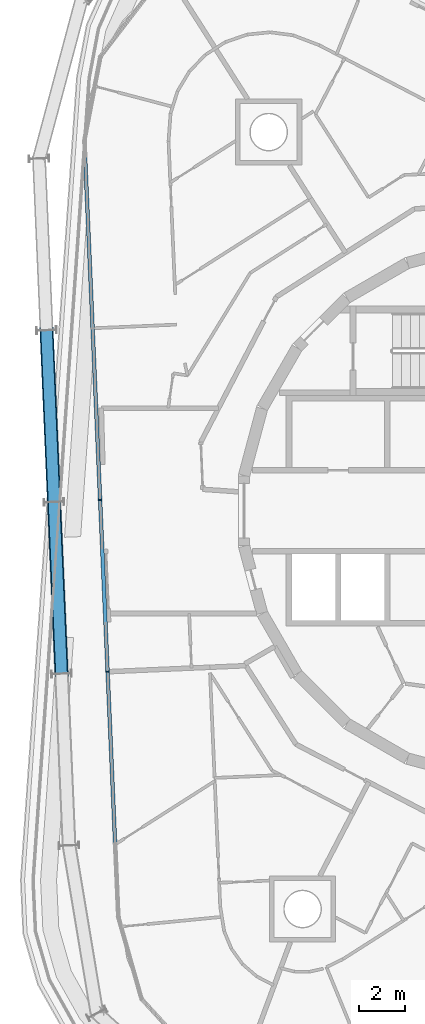
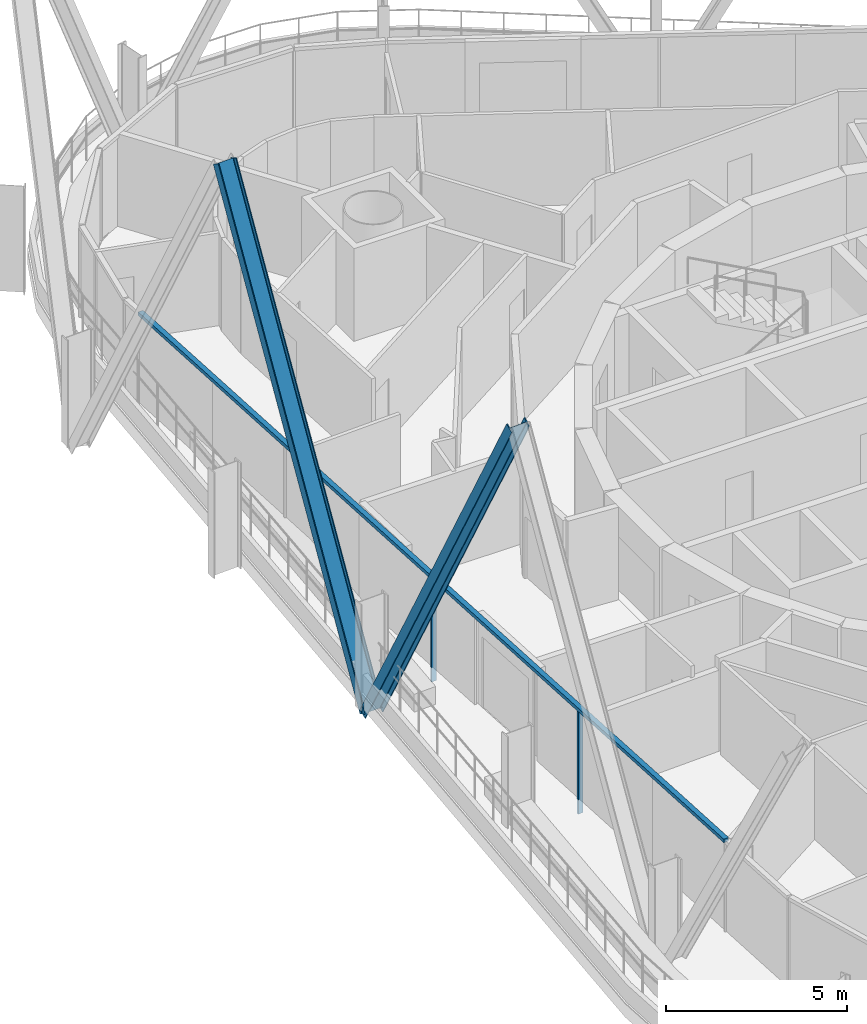
# One storey, part 4 of 20: 5 members, 1 element without a shape of its own.
"""IFC4 building model written with IfcOpenShell, lengths in metres."""

from ifc_helpers import new_model, si_unit, direction, frame, origin, origin_2d, place, context, subcontext, project, spatial, rectangle, i_section, extrude, material, layer, layer_set, material_profile, profile_set, type_object, element, aggregate, save


model = new_model("IFC4")

# Units and contexts
model_context = context("Model", 3, precision=1e-05, world=origin(), true_north=direction((0.0, 1.0)))
body_context = subcontext(model_context, "Body", "Model", "MODEL_VIEW")
ifc_project = project(units=[si_unit("LENGTHUNIT", "METRE"), si_unit("AREAUNIT", "SQUARE_METRE"), si_unit("VOLUMEUNIT", "CUBIC_METRE"), si_unit("PLANEANGLEUNIT", "RADIAN"), si_unit("MASSUNIT", "GRAM", prefix="KILO")], contexts=[model_context])

# Site, building, storey
site_placement = place(None, origin())
site = spatial("IfcSite", under=ifc_project, at=site_placement, CompositionType="ELEMENT")
building_placement = place(site_placement, origin())
building = spatial("IfcBuilding", under=site, at=building_placement, Name="Spindle Arch Residences", CompositionType="ELEMENT")
storey_placement = place(building_placement, frame((0.0, 0.0, 226.699951171875)))
storey = spatial("IfcBuildingStorey", under=building, at=storey_placement, Name="L57", CompositionType="ELEMENT", Elevation=226.699951171875)

# Curtain wall, members
ifc_material_1 = material(Name="Aluminium bronze unitised frame with tinted glass", Category="aluminium")
ifc_layer = layer(ifc_material_1, 0.159912109375)
ifc_layer_set = layer_set([ifc_layer], Name="CW-C typical residential unitised wall")
curtain_wall_type = type_object("IfcCurtainWallType", Name="CW-C typical residential unitised wall", PredefinedType="NOTDEFINED", material=ifc_layer_set)
curtain_wall_placement = place(storey_placement, origin())
curtain_wall = element("IfcCurtainWall", 1, at=curtain_wall_placement, inside=storey, type_object=curtain_wall_type, Name="CW-C L57 run 4", PredefinedType="NOTDEFINED")
ifc_material_2 = material(Name="Aluminium bronze anodised mullion", Category="aluminium")
ifc_material_profile_1 = material_profile(ifc_material_2, rectangle(XDim=0.159912109375, YDim=0.06005859375, at=origin_2d()), Name="MU 60x160")
ifc_profile_set_1 = profile_set([ifc_material_profile_1], Name="Aluminium bronze anodised mullion")
member_type_1 = type_object("IfcMemberType", Name="Bronze mullion 60x160", PredefinedType="MULLION", material=ifc_profile_set_1)
member_1_placement = place(storey_placement, frame((-17.9521484375, 0.472412109375, -0.449951171875), z_axis=(0.0, 0.0, 1.0), x_axis=(0.999048221582, 0.043619387365, 0.0)))
member_1 = element("IfcMember", 2, at=member_1_placement, type_object=member_type_1, Name="CW-C mullion 14", PredefinedType="MULLION", context=body_context, shape_type="SweptSolid", body=[
    extrude(rectangle(XDim=0.159912109375, YDim=0.06005859375, at=origin_2d()), origin(), (0.0, 0.0, 1.0), 3.449951171875),
])
member_2_placement = place(storey_placement, frame((-17.62353515625, -7.050537109375, -0.449951171875), z_axis=(0.0, 0.0, 1.0), x_axis=(0.999048221582, 0.043619387365, 0.0)))
member_2 = element("IfcMember", 3, at=member_2_placement, type_object=member_type_1, Name="CW-C mullion 15", PredefinedType="MULLION", context=body_context, shape_type="SweptSolid", body=[
    extrude(rectangle(XDim=0.159912109375, YDim=0.06005859375, at=origin_2d()), origin(), (0.0, 0.0, 1.0), 3.449951171875),
])
ifc_material_3 = material(Name="Aluminium bronze anodised transom", Category="aluminium")
ifc_material_profile_2 = material_profile(ifc_material_3, rectangle(XDim=0.159912109375, YDim=0.1201171875, at=origin_2d()), Name="TR 120x160")
ifc_profile_set_2 = profile_set([ifc_material_profile_2], Name="Aluminium bronze anodised transom")
member_type_2 = type_object("IfcMemberType", Name="Bronze transom 120x160", PredefinedType="USERDEFINED", material=ifc_profile_set_2)
member_3_placement = place(storey_placement, frame((-18.607666015625, 15.48828125, 3.06005859375), z_axis=(0.043621555075, -0.999048126935, 0.0), x_axis=(0.999048126935, 0.043621555075, 0.0)))
member_3 = element("IfcMember", 4, at=member_3_placement, type_object=member_type_2, Name="CW-C transom 00", ObjectType="TRANSOM", PredefinedType="USERDEFINED", context=body_context, shape_type="SweptSolid", body=[
    extrude(rectangle(XDim=0.159912109375, YDim=0.1201171875, at=origin_2d()), origin(), (0.0, 0.0, 1.0), 30.060302734375),
])
aggregate(curtain_wall, [member_3, member_1, member_2])

# Members
ifc_material_4 = material(Name="Steel S460ML, intumescent coating R 240", Category="steel")
ifc_material_profile_3 = material_profile(ifc_material_4, i_section(OverallWidth=0.300048828125, OverallDepth=0.60009765625, WebThickness=0.015380859375, FlangeThickness=0.030029296875, FilletRadius=0.027099609375, at=origin_2d()), Name="HEB 600")
ifc_profile_set_3 = profile_set([ifc_material_profile_3], Name="Steel S460ML, intumescent coating R 240")
member_type_3 = type_object("IfcMemberType", Name="Diagrid diagonal HEB 600", PredefinedType="BRACE", material=ifc_profile_set_3)
for number, where, z_axis, x_axis, name in (
    (5, (-19.97021484375, 0.38427734375, -0.699951171875), (-0.020576615444, 0.471411024751, 0.881673549926), (0.038447552227, -0.880834850791, 0.471859885305), "Diagrid diagonal 6.1.14"),
    (6, (-19.97021484375, 0.38427734375, -0.699951171875), (0.020591907558, -0.471410876299, 0.881673272278), (-0.038476071232, 0.88083332759, 0.471860404092), "Diagrid diagonal 6.1.15"),
):
    element("IfcMember", number, at=place(storey_placement, frame(where, z_axis=z_axis, x_axis=x_axis)), inside=storey, type_object=member_type_3, Name=name, PredefinedType="BRACE", context=body_context, shape_type="SweptSolid", body=[
        extrude(i_section(OverallWidth=0.300048828125, OverallDepth=0.60009765625, WebThickness=0.015380859375, FlangeThickness=0.030029296875, FilletRadius=0.027099609375, at=origin_2d()), origin(), (0.0, 0.0, 1.0), 15.958251953125),
    ])

save(model, "model.ifc")
